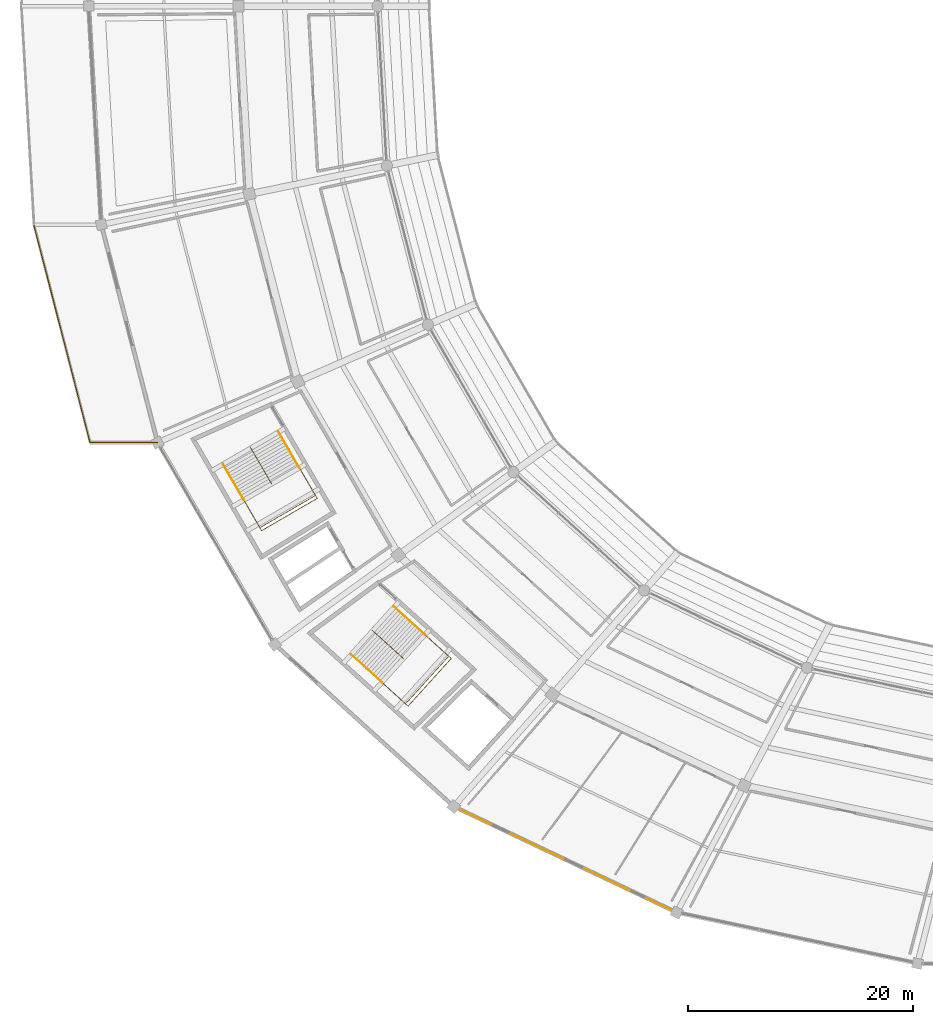
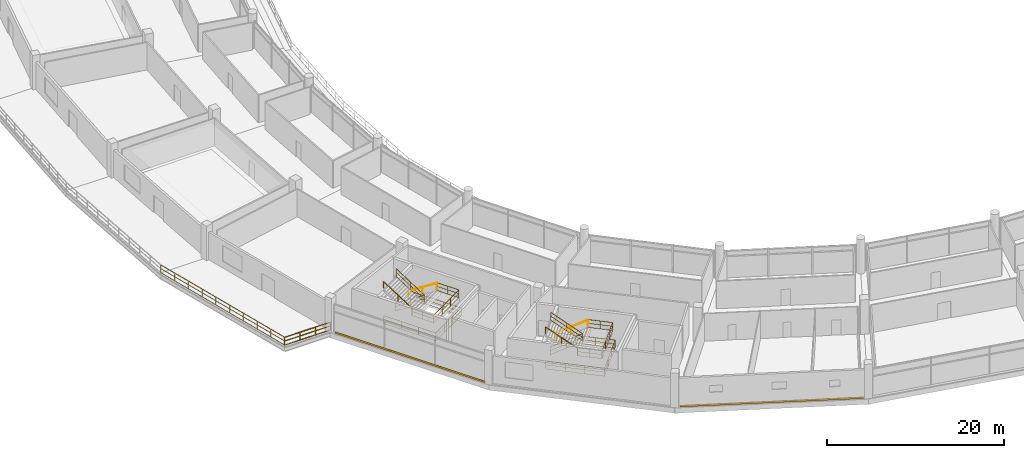
# One storey, part 164 of 171: 12 railings, 2 coverings.
"""IFC4 building model written with IfcOpenShell, lengths in metres."""

from ifc_helpers import new_model, si_unit, direction, frame, origin, origin_2d, place, context, subcontext, project, spatial, rectangle, extrude, material, layer, layer_set, type_object, element, save


model = new_model("IFC4")

# Units and contexts
model_context = context("Model", 3, precision=1e-05, world=origin(), true_north=direction((0.0, 1.0)))
body_context = subcontext(model_context, "Body", "Model", "MODEL_VIEW")
ifc_project = project(units=[si_unit("LENGTHUNIT", "METRE"), si_unit("AREAUNIT", "SQUARE_METRE"), si_unit("VOLUMEUNIT", "CUBIC_METRE"), si_unit("PLANEANGLEUNIT", "RADIAN"), si_unit("MASSUNIT", "GRAM", prefix="KILO")], contexts=[model_context])

# Site, building, storey
site_placement = place(None, origin())
site = spatial("IfcSite", under=ifc_project, at=site_placement, CompositionType="ELEMENT")
building_placement = place(site_placement, origin())
building = spatial("IfcBuilding", under=site, at=building_placement, Name="Kazemori Nagisa Stadium", CompositionType="ELEMENT")
storey_placement = place(building_placement, frame((0.0, 0.0, 15.639892578125)))
storey = spatial("IfcBuildingStorey", under=building, at=storey_placement, Name="L03", CompositionType="ELEMENT", Elevation=15.639892578125)

# Coverings
ifc_material_1 = material(Name="Anodised aluminium 6063-T5", Category="aluminium")
ifc_layer = layer(ifc_material_1, 0.034912109375, Name="Anodised aluminium 6063-T5", Category="aluminium")
ifc_layer_set = layer_set([ifc_layer], Name="Anodised aluminium 6063-T5")
covering_type = type_object("IfcCoveringType", Name="Covering_CLAD", PredefinedType="CLADDING", material=ifc_layer_set)
covering_1_placement = place(storey_placement, frame((39.309814453125, 54.29150390625, -0.259765625), z_axis=(0.0, 0.0, 1.0), x_axis=(0.501611590054, -0.865092950337, 0.0)))
element("IfcCovering", 1, at=covering_1_placement, inside=storey, type_object=covering_type, Name="Anodised fascia cladding L03-B17", PredefinedType="CLADDING", context=body_context, shape_type="SweptSolid", body=[
    extrude(rectangle(XDim=19.6123046875, YDim=0.0400390625, at=origin_2d()), origin(), (0.0, 0.0, 1.0), 0.260009765625),
])
covering_2_placement = place(storey_placement, frame((70.298583984375, 26.23828125, -0.259765625), z_axis=(0.0, 0.0, 1.0), x_axis=(0.903215892654, -0.429186499388, 0.0)))
element("IfcCovering", 2, at=covering_2_placement, inside=storey, type_object=covering_type, Name="Anodised fascia cladding L03-B19", PredefinedType="CLADDING", context=body_context, shape_type="SweptSolid", body=[
    extrude(rectangle(XDim=20.814208984375, YDim=0.0400390625, at=origin_2d()), origin(), (0.0, 0.0, 1.0), 0.260009765625),
])

# Railings
ifc_material_2 = material(Name="Laminated safety glass and stainless steel SUS304", Category="steel")
railing_type_1 = type_object("IfcRailingType", Name="Rail_BAL", PredefinedType="BALUSTRADE", material=ifc_material_2)
railing_1_placement = place(storey_placement, frame((23.119140625, 82.602294921875, 0.0)))
element("IfcRailing", 3, at=railing_1_placement, inside=storey, type_object=railing_type_1, Name="Boulevard club terrace balustrade W-B16", PredefinedType="BALUSTRADE", context=body_context, shape_type="SweptSolid", body=[
    extrude(rectangle(XDim=0.050048828125, YDim=0.050048828125, at=origin_2d()), frame((0.0, 0.0, 1.09521484375), z_axis=(0.249964097999, -0.968255105699, 0.0), x_axis=(0.968255105699, 0.249964097999, 0.0)), (0.0, 0.0, 1.0), 19.986328125),
    extrude(rectangle(XDim=0.03759765625, YDim=0.03759765625, at=origin_2d()), frame((0.0, 0.0, 0.58251953125), z_axis=(0.249964097999, -0.968255105699, 0.0), x_axis=(0.968255105699, 0.249964097999, 0.0)), (0.0, 0.0, 1.0), 19.986328125),
    extrude(rectangle(XDim=0.03759765625, YDim=0.03759765625, at=origin_2d()), frame((0.0, 0.0, 0.02490234375), z_axis=(0.249964097999, -0.968255105699, 0.0), x_axis=(0.968255105699, 0.249964097999, 0.0)), (0.0, 0.0, 1.0), 19.986328125),
    extrude(rectangle(XDim=0.044921875, YDim=0.044921875, at=origin_2d()), origin(), (0.0, 0.0, 1.0), 1.070068359375),
    extrude(rectangle(XDim=0.044921875, YDim=0.044921875, at=origin_2d()), frame((0.55517578125, -2.150146484375, 0.0)), (0.0, 0.0, 1.0), 1.070068359375),
    extrude(rectangle(XDim=0.044921875, YDim=0.044921875, at=origin_2d()), frame((1.110107421875, -4.30029296875, 0.0)), (0.0, 0.0, 1.0), 1.070068359375),
    extrude(rectangle(XDim=0.044921875, YDim=0.044921875, at=origin_2d()), frame((1.665283203125, -6.45068359375, 0.0)), (0.0, 0.0, 1.0), 1.070068359375),
    extrude(rectangle(XDim=0.044921875, YDim=0.044921875, at=origin_2d()), frame((2.220458984375, -8.600830078125, 0.0)), (0.0, 0.0, 1.0), 1.070068359375),
    extrude(rectangle(XDim=0.044921875, YDim=0.044921875, at=origin_2d()), frame((2.775390625, -10.7509765625, 0.0)), (0.0, 0.0, 1.0), 1.070068359375),
    extrude(rectangle(XDim=0.044921875, YDim=0.044921875, at=origin_2d()), frame((3.33056640625, -12.901123046875, 0.0)), (0.0, 0.0, 1.0), 1.070068359375),
    extrude(rectangle(XDim=0.044921875, YDim=0.044921875, at=origin_2d()), frame((3.8857421875, -15.051513671875, 0.0)), (0.0, 0.0, 1.0), 1.070068359375),
    extrude(rectangle(XDim=0.044921875, YDim=0.044921875, at=origin_2d()), frame((4.440673828125, -17.20166015625, 0.0)), (0.0, 0.0, 1.0), 1.070068359375),
    extrude(rectangle(XDim=0.044921875, YDim=0.044921875, at=origin_2d()), frame((4.995849609375, -19.351806640625, 0.0)), (0.0, 0.0, 1.0), 1.070068359375),
])
railing_2_placement = place(storey_placement, frame((28.114990234375, 63.25048828125, 0.0)))
element("IfcRailing", 4, at=railing_2_placement, inside=storey, type_object=railing_type_1, Name="Boulevard club terrace end balustrade S", PredefinedType="BALUSTRADE", context=body_context, shape_type="SweptSolid", body=[
    extrude(rectangle(XDim=0.050048828125, YDim=0.050048828125, at=origin_2d()), frame((0.0, 0.0, 1.09521484375), z_axis=(1.0, 0.0, 0.0), x_axis=(0.0, 1.0, 0.0)), (0.0, 0.0, 1.0), 6.0),
    extrude(rectangle(XDim=0.03759765625, YDim=0.03759765625, at=origin_2d()), frame((0.0, 0.0, 0.58251953125), z_axis=(1.0, 0.0, 0.0), x_axis=(0.0, 1.0, 0.0)), (0.0, 0.0, 1.0), 6.0),
    extrude(rectangle(XDim=0.03759765625, YDim=0.03759765625, at=origin_2d()), frame((0.0, 0.0, 0.02490234375), z_axis=(1.0, 0.0, 0.0), x_axis=(0.0, 1.0, 0.0)), (0.0, 0.0, 1.0), 6.0),
    extrude(rectangle(XDim=0.044921875, YDim=0.044921875, at=origin_2d()), origin(), (0.0, 0.0, 1.0), 1.070068359375),
    extrude(rectangle(XDim=0.044921875, YDim=0.044921875, at=origin_2d()), frame((2.0, 0.0, 0.0)), (0.0, 0.0, 1.0), 1.070068359375),
    extrude(rectangle(XDim=0.044921875, YDim=0.044921875, at=origin_2d()), frame((4.0, 0.0, 0.0)), (0.0, 0.0, 1.0), 1.070068359375),
    extrude(rectangle(XDim=0.044921875, YDim=0.044921875, at=origin_2d()), frame((6.0, 0.0, 0.0)), (0.0, 0.0, 1.0), 1.070068359375),
])
ifc_material_3 = material(Name="Galvanised powder-coated steel", Category="steel")
railing_type_2 = type_object("IfcRailingType", Name="Rail_GUARD", PredefinedType="GUARDRAIL", material=ifc_material_3)
railing_3_placement = place(storey_placement, frame((44.858642578125, 64.196044921875, 0.0)))
element("IfcRailing", 5, at=railing_3_placement, inside=storey, type_object=railing_type_2, Name="Stair well perimeter guard ST09-L03", PredefinedType="GUARDRAIL", context=body_context, shape_type="SweptSolid", body=[
    extrude(rectangle(XDim=0.050048828125, YDim=0.050048828125, at=origin_2d()), frame((0.0, 0.0, 1.09521484375), z_axis=(0.501611319664, -0.865093107119, 0.0), x_axis=(0.865093107119, 0.501611319664, 0.0)), (0.0, 0.0, 1.0), 6.81005859375),
    extrude(rectangle(XDim=0.03759765625, YDim=0.03759765625, at=origin_2d()), frame((0.0, 0.0, 0.58251953125), z_axis=(0.501611319664, -0.865093107119, 0.0), x_axis=(0.865093107119, 0.501611319664, 0.0)), (0.0, 0.0, 1.0), 6.81005859375),
    extrude(rectangle(XDim=0.03759765625, YDim=0.03759765625, at=origin_2d()), frame((0.0, 0.0, 0.02490234375), z_axis=(0.501611319664, -0.865093107119, 0.0), x_axis=(0.865093107119, 0.501611319664, 0.0)), (0.0, 0.0, 1.0), 6.81005859375),
    extrude(rectangle(XDim=0.050048828125, YDim=0.050048828125, at=origin_2d()), frame((3.416015625, -5.891357421875, 1.09521484375), z_axis=(-0.865102561401, -0.501595014188, 0.0), x_axis=(0.501595014188, -0.865102561401, 0.0)), (0.0, 0.0, 1.0), 5.7001953125),
    extrude(rectangle(XDim=0.03759765625, YDim=0.03759765625, at=origin_2d()), frame((3.416015625, -5.891357421875, 0.58251953125), z_axis=(-0.865102561401, -0.501595014188, 0.0), x_axis=(0.501595014188, -0.865102561401, 0.0)), (0.0, 0.0, 1.0), 5.7001953125),
    extrude(rectangle(XDim=0.03759765625, YDim=0.03759765625, at=origin_2d()), frame((3.416015625, -5.891357421875, 0.02490234375), z_axis=(-0.865102561401, -0.501595014188, 0.0), x_axis=(0.501595014188, -0.865102561401, 0.0)), (0.0, 0.0, 1.0), 5.7001953125),
    extrude(rectangle(XDim=0.050048828125, YDim=0.050048828125, at=origin_2d()), frame((-1.51513671875, -8.75048828125, 1.09521484375), z_axis=(-0.501626876774, 0.865084086374, 0.0), x_axis=(-0.865084086374, -0.501626876774, 0.0)), (0.0, 0.0, 1.0), 6.809814453125),
    extrude(rectangle(XDim=0.03759765625, YDim=0.03759765625, at=origin_2d()), frame((-1.51513671875, -8.75048828125, 0.58251953125), z_axis=(-0.501626876774, 0.865084086374, 0.0), x_axis=(-0.865084086374, -0.501626876774, 0.0)), (0.0, 0.0, 1.0), 6.809814453125),
    extrude(rectangle(XDim=0.03759765625, YDim=0.03759765625, at=origin_2d()), frame((-1.51513671875, -8.75048828125, 0.02490234375), z_axis=(-0.501626876774, 0.865084086374, 0.0), x_axis=(-0.865084086374, -0.501626876774, 0.0)), (0.0, 0.0, 1.0), 6.809814453125),
    extrude(rectangle(XDim=0.044921875, YDim=0.044921875, at=origin_2d()), origin(), (0.0, 0.0, 1.0), 1.070068359375),
    extrude(rectangle(XDim=0.044921875, YDim=0.044921875, at=origin_2d()), frame((1.138671875, -1.9638671875, 0.0)), (0.0, 0.0, 1.0), 1.070068359375),
    extrude(rectangle(XDim=0.044921875, YDim=0.044921875, at=origin_2d()), frame((2.27734375, -3.927490234375, 0.0)), (0.0, 0.0, 1.0), 1.070068359375),
    extrude(rectangle(XDim=0.044921875, YDim=0.044921875, at=origin_2d()), frame((3.416015625, -5.891357421875, 0.0)), (0.0, 0.0, 1.0), 1.070068359375),
    extrude(rectangle(XDim=0.044921875, YDim=0.044921875, at=origin_2d()), frame((1.772216796875, -6.844482421875, 0.0)), (0.0, 0.0, 1.0), 1.070068359375),
    extrude(rectangle(XDim=0.044921875, YDim=0.044921875, at=origin_2d()), frame((0.128662109375, -7.79736328125, 0.0)), (0.0, 0.0, 1.0), 1.070068359375),
    extrude(rectangle(XDim=0.044921875, YDim=0.044921875, at=origin_2d()), frame((-1.51513671875, -8.75048828125, 0.0)), (0.0, 0.0, 1.0), 1.070068359375),
    extrude(rectangle(XDim=0.044921875, YDim=0.044921875, at=origin_2d()), frame((-2.65380859375, -6.786865234375, 0.0)), (0.0, 0.0, 1.0), 1.070068359375),
    extrude(rectangle(XDim=0.044921875, YDim=0.044921875, at=origin_2d()), frame((-3.79248046875, -4.822998046875, 0.0)), (0.0, 0.0, 1.0), 1.070068359375),
    extrude(rectangle(XDim=0.044921875, YDim=0.044921875, at=origin_2d()), frame((-4.93115234375, -2.859375, 0.0)), (0.0, 0.0, 1.0), 1.070068359375),
])
railing_4_placement = place(storey_placement, frame((42.35302734375, 62.835693359375, 0.0)))
element("IfcRailing", 6, at=railing_4_placement, inside=storey, type_object=railing_type_2, Name="Stair central guard ST09-L03", PredefinedType="GUARDRAIL", context=body_context, shape_type="SweptSolid", body=[
    extrude(rectangle(XDim=0.050048828125, YDim=0.050048828125, at=origin_2d()), frame((0.0, 0.0, 1.09521484375), z_axis=(0.423662078125, -0.73068666384, 0.535357303906), x_axis=(0.865101159018, 0.501597432874, 0.0)), (0.0, 0.0, 1.0), 4.44580078125),
    extrude(rectangle(XDim=0.03759765625, YDim=0.03759765625, at=origin_2d()), frame((0.0, 0.0, 0.58251953125), z_axis=(0.423662078125, -0.73068666384, 0.535357303906), x_axis=(0.865101159018, 0.501597432874, 0.0)), (0.0, 0.0, 1.0), 4.44580078125),
    extrude(rectangle(XDim=0.03759765625, YDim=0.03759765625, at=origin_2d()), frame((0.0, 0.0, 0.02490234375), z_axis=(0.423662078125, -0.73068666384, 0.535357303906), x_axis=(0.865101159018, 0.501597432874, 0.0)), (0.0, 0.0, 1.0), 4.44580078125),
    extrude(rectangle(XDim=0.050048828125, YDim=0.050048828125, at=origin_2d()), frame((1.883544921875, -3.24853515625, 3.47509765625), z_axis=(-0.421053493443, 0.72612350571, 0.543561045435), x_axis=(-0.865081928726, -0.501630597743, 0.0)), (0.0, 0.0, 1.0), 4.37841796875),
    extrude(rectangle(XDim=0.03759765625, YDim=0.03759765625, at=origin_2d()), frame((1.883544921875, -3.24853515625, 2.962646484375), z_axis=(-0.421053493443, 0.72612350571, 0.543561045435), x_axis=(-0.865081928726, -0.501630597743, 0.0)), (0.0, 0.0, 1.0), 4.37841796875),
    extrude(rectangle(XDim=0.03759765625, YDim=0.03759765625, at=origin_2d()), frame((1.883544921875, -3.24853515625, 2.4052734375), z_axis=(-0.421053493443, 0.72612350571, 0.543561045435), x_axis=(-0.865081928726, -0.501630597743, 0.0)), (0.0, 0.0, 1.0), 4.37841796875),
    extrude(rectangle(XDim=0.044921875, YDim=0.044921875, at=origin_2d()), origin(), (0.0, 0.0, 1.0), 1.070068359375),
    extrude(rectangle(XDim=0.044921875, YDim=0.044921875, at=origin_2d()), frame((0.94189453125, -1.624267578125, 1.18994140625)), (0.0, 0.0, 1.0), 1.070068359375),
    extrude(rectangle(XDim=0.044921875, YDim=0.044921875, at=origin_2d()), frame((1.883544921875, -3.24853515625, 2.380126953125)), (0.0, 0.0, 1.0), 1.070068359375),
    extrude(rectangle(XDim=0.044921875, YDim=0.044921875, at=origin_2d()), frame((0.9619140625, -1.658935546875, 3.570068359375)), (0.0, 0.0, 1.0), 1.070068359375),
    extrude(rectangle(XDim=0.044921875, YDim=0.044921875, at=origin_2d()), frame((0.0400390625, -0.0693359375, 4.760009765625)), (0.0, 0.0, 1.0), 1.070068359375),
])
railing_5_placement = place(storey_placement, frame((46.701904296875, 61.016845703125, 2.380126953125)))
element("IfcRailing", 7, at=railing_5_placement, inside=storey, type_object=railing_type_2, Name="Stair landing guard ST09-L03", PredefinedType="GUARDRAIL", context=body_context, shape_type="SweptSolid", body=[
    extrude(rectangle(XDim=0.050048828125, YDim=0.050048828125, at=origin_2d()), frame((0.0, 0.0, 1.09521484375), z_axis=(0.501627068055, -0.865083975458, 0.0), x_axis=(0.865083975458, 0.501627068055, 0.0)), (0.0, 0.0, 1.0), 2.85009765625),
    extrude(rectangle(XDim=0.03759765625, YDim=0.03759765625, at=origin_2d()), frame((0.0, 0.0, 0.58251953125), z_axis=(0.501627068055, -0.865083975458, 0.0), x_axis=(0.865083975458, 0.501627068055, 0.0)), (0.0, 0.0, 1.0), 2.85009765625),
    extrude(rectangle(XDim=0.03759765625, YDim=0.03759765625, at=origin_2d()), frame((0.0, 0.0, 0.02490234375), z_axis=(0.501627068055, -0.865083975458, 0.0), x_axis=(0.865083975458, 0.501627068055, 0.0)), (0.0, 0.0, 1.0), 2.85009765625),
    extrude(rectangle(XDim=0.050048828125, YDim=0.050048828125, at=origin_2d()), frame((1.4296875, -2.465576171875, 1.09521484375), z_axis=(-0.865091784601, -0.501613600508, 0.0), x_axis=(0.501613600508, -0.865091784601, 0.0)), (0.0, 0.0, 1.0), 5.699951171875),
    extrude(rectangle(XDim=0.03759765625, YDim=0.03759765625, at=origin_2d()), frame((1.4296875, -2.465576171875, 0.58251953125), z_axis=(-0.865091784601, -0.501613600508, 0.0), x_axis=(0.501613600508, -0.865091784601, 0.0)), (0.0, 0.0, 1.0), 5.699951171875),
    extrude(rectangle(XDim=0.03759765625, YDim=0.03759765625, at=origin_2d()), frame((1.4296875, -2.465576171875, 0.02490234375), z_axis=(-0.865091784601, -0.501613600508, 0.0), x_axis=(0.501613600508, -0.865091784601, 0.0)), (0.0, 0.0, 1.0), 5.699951171875),
    extrude(rectangle(XDim=0.050048828125, YDim=0.050048828125, at=origin_2d()), frame((-3.501220703125, -5.32470703125, 1.09521484375), z_axis=(-0.50166424262, 0.86506241837, 0.0), x_axis=(-0.86506241837, -0.50166424262, 0.0)), (0.0, 0.0, 1.0), 2.849853515625),
    extrude(rectangle(XDim=0.03759765625, YDim=0.03759765625, at=origin_2d()), frame((-3.501220703125, -5.32470703125, 0.58251953125), z_axis=(-0.50166424262, 0.86506241837, 0.0), x_axis=(-0.86506241837, -0.50166424262, 0.0)), (0.0, 0.0, 1.0), 2.849853515625),
    extrude(rectangle(XDim=0.03759765625, YDim=0.03759765625, at=origin_2d()), frame((-3.501220703125, -5.32470703125, 0.02490234375), z_axis=(-0.50166424262, 0.86506241837, 0.0), x_axis=(-0.86506241837, -0.50166424262, 0.0)), (0.0, 0.0, 1.0), 2.849853515625),
    extrude(rectangle(XDim=0.044921875, YDim=0.044921875, at=origin_2d()), origin(), (0.0, 0.0, 1.0), 1.070068359375),
    extrude(rectangle(XDim=0.044921875, YDim=0.044921875, at=origin_2d()), frame((0.71484375, -1.23291015625, 0.0)), (0.0, 0.0, 1.0), 1.070068359375),
    extrude(rectangle(XDim=0.044921875, YDim=0.044921875, at=origin_2d()), frame((1.4296875, -2.465576171875, 0.0)), (0.0, 0.0, 1.0), 1.070068359375),
    extrude(rectangle(XDim=0.044921875, YDim=0.044921875, at=origin_2d()), frame((-0.2138671875, -3.418701171875, 0.0)), (0.0, 0.0, 1.0), 1.070068359375),
    extrude(rectangle(XDim=0.044921875, YDim=0.044921875, at=origin_2d()), frame((-1.857666015625, -4.37158203125, 0.0)), (0.0, 0.0, 1.0), 1.070068359375),
    extrude(rectangle(XDim=0.044921875, YDim=0.044921875, at=origin_2d()), frame((-3.501220703125, -5.32470703125, 0.0)), (0.0, 0.0, 1.0), 1.070068359375),
    extrude(rectangle(XDim=0.044921875, YDim=0.044921875, at=origin_2d()), frame((-4.216064453125, -4.092041015625, 0.0)), (0.0, 0.0, 1.0), 1.070068359375),
    extrude(rectangle(XDim=0.044921875, YDim=0.044921875, at=origin_2d()), frame((-4.930908203125, -2.859375, 0.0)), (0.0, 0.0, 1.0), 1.070068359375),
])
railing_6_placement = place(storey_placement, frame((55.12353515625, 48.665771484375, 0.0)))
element("IfcRailing", 8, at=railing_6_placement, inside=storey, type_object=railing_type_2, Name="Stair well perimeter guard ST03-L03", PredefinedType="GUARDRAIL", context=body_context, shape_type="SweptSolid", body=[
    extrude(rectangle(XDim=0.050048828125, YDim=0.050048828125, at=origin_2d()), frame((0.0, 0.0, 1.09521484375), z_axis=(0.741349748907, -0.671118879034, 0.0), x_axis=(0.671118879034, 0.741349748907, 0.0)), (0.0, 0.0, 1.0), 6.81005859375),
    extrude(rectangle(XDim=0.03759765625, YDim=0.03759765625, at=origin_2d()), frame((0.0, 0.0, 0.58251953125), z_axis=(0.741349748907, -0.671118879034, 0.0), x_axis=(0.671118879034, 0.741349748907, 0.0)), (0.0, 0.0, 1.0), 6.81005859375),
    extrude(rectangle(XDim=0.03759765625, YDim=0.03759765625, at=origin_2d()), frame((0.0, 0.0, 0.02490234375), z_axis=(0.741349748907, -0.671118879034, 0.0), x_axis=(0.671118879034, 0.741349748907, 0.0)), (0.0, 0.0, 1.0), 6.81005859375),
    extrude(rectangle(XDim=0.050048828125, YDim=0.050048828125, at=origin_2d()), frame((5.048583984375, -4.5703125, 1.09521484375), z_axis=(-0.671089385604, -0.741376447245, 0.0), x_axis=(0.741376447245, -0.671089385604, 0.0)), (0.0, 0.0, 1.0), 5.699951171875),
    extrude(rectangle(XDim=0.03759765625, YDim=0.03759765625, at=origin_2d()), frame((5.048583984375, -4.5703125, 0.58251953125), z_axis=(-0.671089385604, -0.741376447245, 0.0), x_axis=(0.741376447245, -0.671089385604, 0.0)), (0.0, 0.0, 1.0), 5.699951171875),
    extrude(rectangle(XDim=0.03759765625, YDim=0.03759765625, at=origin_2d()), frame((5.048583984375, -4.5703125, 0.02490234375), z_axis=(-0.671089385604, -0.741376447245, 0.0), x_axis=(0.741376447245, -0.671089385604, 0.0)), (0.0, 0.0, 1.0), 5.699951171875),
    extrude(rectangle(XDim=0.050048828125, YDim=0.050048828125, at=origin_2d()), frame((1.223388671875, -8.796142578125, 1.09521484375), z_axis=(-0.741349748907, 0.671118879034, 0.0), x_axis=(-0.671118879034, -0.741349748907, 0.0)), (0.0, 0.0, 1.0), 6.81005859375),
    extrude(rectangle(XDim=0.03759765625, YDim=0.03759765625, at=origin_2d()), frame((1.223388671875, -8.796142578125, 0.58251953125), z_axis=(-0.741349748907, 0.671118879034, 0.0), x_axis=(-0.671118879034, -0.741349748907, 0.0)), (0.0, 0.0, 1.0), 6.81005859375),
    extrude(rectangle(XDim=0.03759765625, YDim=0.03759765625, at=origin_2d()), frame((1.223388671875, -8.796142578125, 0.02490234375), z_axis=(-0.741349748907, 0.671118879034, 0.0), x_axis=(-0.671118879034, -0.741349748907, 0.0)), (0.0, 0.0, 1.0), 6.81005859375),
    extrude(rectangle(XDim=0.044921875, YDim=0.044921875, at=origin_2d()), origin(), (0.0, 0.0, 1.0), 1.070068359375),
    extrude(rectangle(XDim=0.044921875, YDim=0.044921875, at=origin_2d()), frame((1.682861328125, -1.5234375, 0.0)), (0.0, 0.0, 1.0), 1.070068359375),
    extrude(rectangle(XDim=0.044921875, YDim=0.044921875, at=origin_2d()), frame((3.36572265625, -3.046875, 0.0)), (0.0, 0.0, 1.0), 1.070068359375),
    extrude(rectangle(XDim=0.044921875, YDim=0.044921875, at=origin_2d()), frame((5.048583984375, -4.5703125, 0.0)), (0.0, 0.0, 1.0), 1.070068359375),
    extrude(rectangle(XDim=0.044921875, YDim=0.044921875, at=origin_2d()), frame((3.7734375, -5.97900390625, 0.0)), (0.0, 0.0, 1.0), 1.070068359375),
    extrude(rectangle(XDim=0.044921875, YDim=0.044921875, at=origin_2d()), frame((2.49853515625, -7.387451171875, 0.0)), (0.0, 0.0, 1.0), 1.070068359375),
    extrude(rectangle(XDim=0.044921875, YDim=0.044921875, at=origin_2d()), frame((1.223388671875, -8.796142578125, 0.0)), (0.0, 0.0, 1.0), 1.070068359375),
    extrude(rectangle(XDim=0.044921875, YDim=0.044921875, at=origin_2d()), frame((-0.45947265625, -7.272705078125, 0.0)), (0.0, 0.0, 1.0), 1.070068359375),
    extrude(rectangle(XDim=0.044921875, YDim=0.044921875, at=origin_2d()), frame((-2.142333984375, -5.749267578125, 0.0)), (0.0, 0.0, 1.0), 1.070068359375),
    extrude(rectangle(XDim=0.044921875, YDim=0.044921875, at=origin_2d()), frame((-3.8251953125, -4.225830078125, 0.0)), (0.0, 0.0, 1.0), 1.070068359375),
])
railing_7_placement = place(storey_placement, frame((53.151611328125, 46.606689453125, 0.0)))
element("IfcRailing", 9, at=railing_7_placement, inside=storey, type_object=railing_type_2, Name="Stair central guard ST03-L03", PredefinedType="GUARDRAIL", context=body_context, shape_type="SweptSolid", body=[
    extrude(rectangle(XDim=0.050048828125, YDim=0.050048828125, at=origin_2d()), frame((0.0, 0.0, 1.09521484375), z_axis=(0.626131143726, -0.566878775362, 0.535358052989), x_axis=(0.671160136809, 0.741312397548, 0.0)), (0.0, 0.0, 1.0), 4.44580078125),
    extrude(rectangle(XDim=0.03759765625, YDim=0.03759765625, at=origin_2d()), frame((0.0, 0.0, 0.58251953125), z_axis=(0.626131143726, -0.566878775362, 0.535358052989), x_axis=(0.671160136809, 0.741312397548, 0.0)), (0.0, 0.0, 1.0), 4.44580078125),
    extrude(rectangle(XDim=0.03759765625, YDim=0.03759765625, at=origin_2d()), frame((0.0, 0.0, 0.02490234375), z_axis=(0.626131143726, -0.566878775362, 0.535358052989), x_axis=(0.671160136809, 0.741312397548, 0.0)), (0.0, 0.0, 1.0), 4.44580078125),
    extrude(rectangle(XDim=0.050048828125, YDim=0.050048828125, at=origin_2d()), frame((2.78369140625, -2.520263671875, 3.47509765625), z_axis=(-0.622236543433, 0.563352970544, 0.543557830037), x_axis=(-0.671160293698, -0.741312255506, 0.0)), (0.0, 0.0, 1.0), 4.37841796875),
    extrude(rectangle(XDim=0.03759765625, YDim=0.03759765625, at=origin_2d()), frame((2.78369140625, -2.520263671875, 2.962646484375), z_axis=(-0.622236543433, 0.563352970544, 0.543557830037), x_axis=(-0.671160293698, -0.741312255506, 0.0)), (0.0, 0.0, 1.0), 4.37841796875),
    extrude(rectangle(XDim=0.03759765625, YDim=0.03759765625, at=origin_2d()), frame((2.78369140625, -2.520263671875, 2.4052734375), z_axis=(-0.622236543433, 0.563352970544, 0.543557830037), x_axis=(-0.671160293698, -0.741312255506, 0.0)), (0.0, 0.0, 1.0), 4.37841796875),
    extrude(rectangle(XDim=0.044921875, YDim=0.044921875, at=origin_2d()), origin(), (0.0, 0.0, 1.0), 1.070068359375),
    extrude(rectangle(XDim=0.044921875, YDim=0.044921875, at=origin_2d()), frame((1.391845703125, -1.26025390625, 1.18994140625)), (0.0, 0.0, 1.0), 1.070068359375),
    extrude(rectangle(XDim=0.044921875, YDim=0.044921875, at=origin_2d()), frame((2.78369140625, -2.520263671875, 2.380126953125)), (0.0, 0.0, 1.0), 1.070068359375),
    extrude(rectangle(XDim=0.044921875, YDim=0.044921875, at=origin_2d()), frame((1.42138671875, -1.287109375, 3.570068359375)), (0.0, 0.0, 1.0), 1.070068359375),
    extrude(rectangle(XDim=0.044921875, YDim=0.044921875, at=origin_2d()), frame((0.059326171875, -0.0537109375, 4.760009765625)), (0.0, 0.0, 1.0), 1.070068359375),
])
railing_8_placement = place(storey_placement, frame((57.84814453125, 46.199462890625, 2.380126953125)))
element("IfcRailing", 10, at=railing_8_placement, inside=storey, type_object=railing_type_2, Name="Stair landing guard ST03-L03", PredefinedType="GUARDRAIL", context=body_context, shape_type="SweptSolid", body=[
    extrude(rectangle(XDim=0.050048828125, YDim=0.050048828125, at=origin_2d()), frame((0.0, 0.0, 1.09521484375), z_axis=(0.741314535645, -0.671157775223, 0.0), x_axis=(0.671157775223, 0.741314535645, 0.0)), (0.0, 0.0, 1.0), 2.85009765625),
    extrude(rectangle(XDim=0.03759765625, YDim=0.03759765625, at=origin_2d()), frame((0.0, 0.0, 0.58251953125), z_axis=(0.741314535645, -0.671157775223, 0.0), x_axis=(0.671157775223, 0.741314535645, 0.0)), (0.0, 0.0, 1.0), 2.85009765625),
    extrude(rectangle(XDim=0.03759765625, YDim=0.03759765625, at=origin_2d()), frame((0.0, 0.0, 0.02490234375), z_axis=(0.741314535645, -0.671157775223, 0.0), x_axis=(0.671157775223, 0.741314535645, 0.0)), (0.0, 0.0, 1.0), 2.85009765625),
    extrude(rectangle(XDim=0.050048828125, YDim=0.050048828125, at=origin_2d()), frame((2.11279296875, -1.912841796875, 1.09521484375), z_axis=(-0.67113423669, -0.74133584585, 0.0), x_axis=(0.74133584585, -0.67113423669, 0.0)), (0.0, 0.0, 1.0), 5.699951171875),
    extrude(rectangle(XDim=0.03759765625, YDim=0.03759765625, at=origin_2d()), frame((2.11279296875, -1.912841796875, 0.58251953125), z_axis=(-0.67113423669, -0.74133584585, 0.0), x_axis=(0.74133584585, -0.67113423669, 0.0)), (0.0, 0.0, 1.0), 5.699951171875),
    extrude(rectangle(XDim=0.03759765625, YDim=0.03759765625, at=origin_2d()), frame((2.11279296875, -1.912841796875, 0.02490234375), z_axis=(-0.67113423669, -0.74133584585, 0.0), x_axis=(0.74133584585, -0.67113423669, 0.0)), (0.0, 0.0, 1.0), 5.699951171875),
    extrude(rectangle(XDim=0.050048828125, YDim=0.050048828125, at=origin_2d()), frame((-1.712646484375, -6.138427734375, 1.09521484375), z_axis=(-0.741357156534, 0.671110696127, 0.0), x_axis=(-0.671110696127, -0.741357156534, 0.0)), (0.0, 0.0, 1.0), 2.849853515625),
    extrude(rectangle(XDim=0.03759765625, YDim=0.03759765625, at=origin_2d()), frame((-1.712646484375, -6.138427734375, 0.58251953125), z_axis=(-0.741357156534, 0.671110696127, 0.0), x_axis=(-0.671110696127, -0.741357156534, 0.0)), (0.0, 0.0, 1.0), 2.849853515625),
    extrude(rectangle(XDim=0.03759765625, YDim=0.03759765625, at=origin_2d()), frame((-1.712646484375, -6.138427734375, 0.02490234375), z_axis=(-0.741357156534, 0.671110696127, 0.0), x_axis=(-0.671110696127, -0.741357156534, 0.0)), (0.0, 0.0, 1.0), 2.849853515625),
    extrude(rectangle(XDim=0.044921875, YDim=0.044921875, at=origin_2d()), origin(), (0.0, 0.0, 1.0), 1.070068359375),
    extrude(rectangle(XDim=0.044921875, YDim=0.044921875, at=origin_2d()), frame((1.056396484375, -0.95654296875, 0.0)), (0.0, 0.0, 1.0), 1.070068359375),
    extrude(rectangle(XDim=0.044921875, YDim=0.044921875, at=origin_2d()), frame((2.11279296875, -1.912841796875, 0.0)), (0.0, 0.0, 1.0), 1.070068359375),
    extrude(rectangle(XDim=0.044921875, YDim=0.044921875, at=origin_2d()), frame((0.837646484375, -3.3212890625, 0.0)), (0.0, 0.0, 1.0), 1.070068359375),
    extrude(rectangle(XDim=0.044921875, YDim=0.044921875, at=origin_2d()), frame((-0.4375, -4.72998046875, 0.0)), (0.0, 0.0, 1.0), 1.070068359375),
    extrude(rectangle(XDim=0.044921875, YDim=0.044921875, at=origin_2d()), frame((-1.712646484375, -6.138427734375, 0.0)), (0.0, 0.0, 1.0), 1.070068359375),
    extrude(rectangle(XDim=0.044921875, YDim=0.044921875, at=origin_2d()), frame((-2.76904296875, -5.18212890625, 0.0)), (0.0, 0.0, 1.0), 1.070068359375),
    extrude(rectangle(XDim=0.044921875, YDim=0.044921875, at=origin_2d()), frame((-3.825439453125, -4.225830078125, 0.0)), (0.0, 0.0, 1.0), 1.070068359375),
])
ifc_material_4 = material(Name="Stainless steel SUS304", Category="steel")
railing_type_3 = type_object("IfcRailingType", Name="Rail_HAND", PredefinedType="HANDRAIL", material=ifc_material_4)
railing_9_placement = place(storey_placement, frame((44.818359375, 64.26513671875, 0.170166015625)))
element("IfcRailing", 11, at=railing_9_placement, inside=storey, type_object=railing_type_3, Name="Stair handrail ST09-L03-F1", PredefinedType="HANDRAIL", context=body_context, shape_type="SweptSolid", body=[
    extrude(rectangle(XDim=0.050048828125, YDim=0.050048828125, at=origin_2d()), frame((0.0, 0.0, 0.875), z_axis=(0.423691534445, -0.730682549033, 0.535339608266), x_axis=(0.865084799646, 0.501625646694, 0.0)), (0.0, 0.0, 1.0), 4.445556640625),
    extrude(rectangle(XDim=0.044921875, YDim=0.044921875, at=origin_2d()), origin(), (0.0, 0.0, 1.0), 0.849853515625),
    extrude(rectangle(XDim=0.044921875, YDim=0.044921875, at=origin_2d()), frame((0.94189453125, -1.6240234375, 1.18994140625)), (0.0, 0.0, 1.0), 0.849853515625),
    extrude(rectangle(XDim=0.044921875, YDim=0.044921875, at=origin_2d()), frame((1.883544921875, -3.248291015625, 2.3798828125)), (0.0, 0.0, 1.0), 0.849853515625),
])
railing_10_placement = place(storey_placement, frame((41.77099609375, 58.157470703125, 2.550048828125)))
element("IfcRailing", 12, at=railing_10_placement, inside=storey, type_object=railing_type_3, Name="Stair handrail ST09-L03-F2", PredefinedType="HANDRAIL", context=body_context, shape_type="SweptSolid", body=[
    extrude(rectangle(XDim=0.050048828125, YDim=0.050048828125, at=origin_2d()), frame((0.0, 0.0, 0.875), z_axis=(-0.421040731379, 0.726101497022, 0.543600329785), x_axis=(-0.865081928726, -0.501630597743, 0.0)), (0.0, 0.0, 1.0), 4.37841796875),
    extrude(rectangle(XDim=0.044921875, YDim=0.044921875, at=origin_2d()), origin(), (0.0, 0.0, 1.0), 0.849853515625),
    extrude(rectangle(XDim=0.044921875, YDim=0.044921875, at=origin_2d()), frame((-0.921875, 1.589599609375, 1.18994140625)), (0.0, 0.0, 1.0), 0.849853515625),
    extrude(rectangle(XDim=0.044921875, YDim=0.044921875, at=origin_2d()), frame((-1.843505859375, 3.17919921875, 2.380126953125)), (0.0, 0.0, 1.0), 0.849853515625),
])
railing_11_placement = place(storey_placement, frame((55.064208984375, 48.719482421875, 0.170166015625)))
element("IfcRailing", 13, at=railing_11_placement, inside=storey, type_object=railing_type_3, Name="Stair handrail ST03-L03-F1", PredefinedType="HANDRAIL", context=body_context, shape_type="SweptSolid", body=[
    extrude(rectangle(XDim=0.050048828125, YDim=0.050048828125, at=origin_2d()), frame((0.0, 0.0, 0.875), z_axis=(0.626202427282, -0.566838678804, 0.535317132434), x_axis=(0.671092057118, 0.741374028998, 0.0)), (0.0, 0.0, 1.0), 4.44580078125),
    extrude(rectangle(XDim=0.044921875, YDim=0.044921875, at=origin_2d()), origin(), (0.0, 0.0, 1.0), 0.849853515625),
    extrude(rectangle(XDim=0.044921875, YDim=0.044921875, at=origin_2d()), frame((1.39208984375, -1.260009765625, 1.18994140625)), (0.0, 0.0, 1.0), 0.849853515625),
    extrude(rectangle(XDim=0.044921875, YDim=0.044921875, at=origin_2d()), frame((2.783935546875, -2.52001953125, 2.3798828125)), (0.0, 0.0, 1.0), 0.849853515625),
])
railing_12_placement = place(storey_placement, frame((54.022705078125, 41.9736328125, 2.550048828125)))
element("IfcRailing", 14, at=railing_12_placement, inside=storey, type_object=railing_type_3, Name="Stair handrail ST03-L03-F2", PredefinedType="HANDRAIL", context=body_context, shape_type="SweptSolid", body=[
    extrude(rectangle(XDim=0.050048828125, YDim=0.050048828125, at=origin_2d()), frame((0.0, 0.0, 0.875), z_axis=(-0.622237228322, 0.5632978296, 0.543614189346), x_axis=(-0.671123784078, -0.741345308506, 0.0)), (0.0, 0.0, 1.0), 4.37841796875),
    extrude(rectangle(XDim=0.044921875, YDim=0.044921875, at=origin_2d()), origin(), (0.0, 0.0, 1.0), 0.849853515625),
    extrude(rectangle(XDim=0.044921875, YDim=0.044921875, at=origin_2d()), frame((-1.3623046875, 1.233154296875, 1.18994140625)), (0.0, 0.0, 1.0), 0.849853515625),
    extrude(rectangle(XDim=0.044921875, YDim=0.044921875, at=origin_2d()), frame((-2.724365234375, 2.46630859375, 2.380126953125)), (0.0, 0.0, 1.0), 0.849853515625),
])

save(model, "model.ifc")
